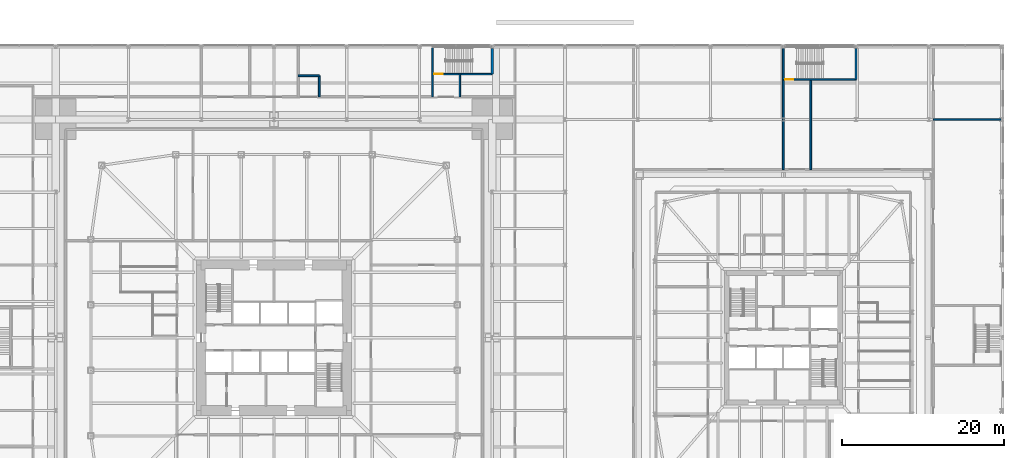
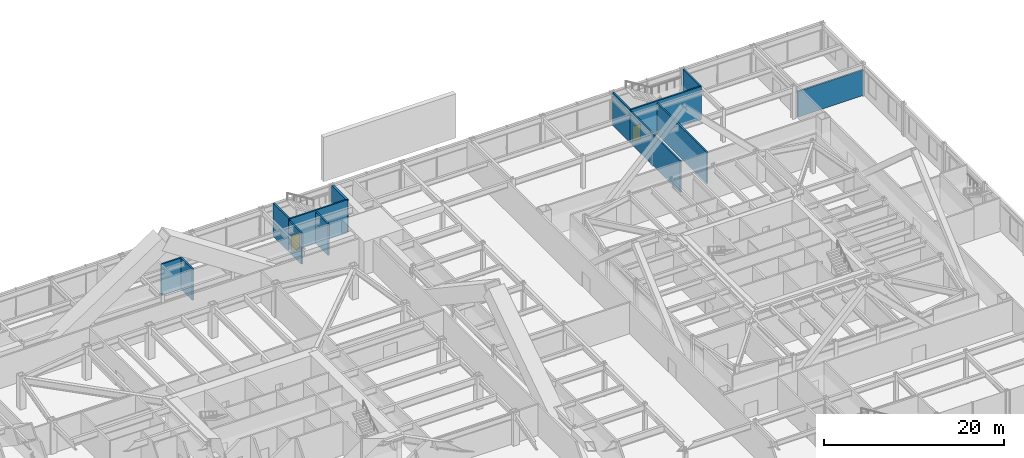
# One storey, part 28 of 32: 13 walls, 2 doors, 2 openings.
"""IFC4 building model written with IfcOpenShell, lengths in metres."""

from ifc_helpers import new_model, si_unit, direction, frame, frame_2d, origin, place, context, subcontext, project, spatial, rectangle, extrude, material, layer, layer_set, type_object, element, fill, save


model = new_model("IFC4")

# Units and contexts
model_context = context("Model", 3, precision=1e-05, world=origin(), true_north=direction((0.0, 1.0)))
body_context = subcontext(model_context, "Body", "Model", "MODEL_VIEW")
ifc_project = project(units=[si_unit("LENGTHUNIT", "METRE"), si_unit("AREAUNIT", "SQUARE_METRE"), si_unit("VOLUMEUNIT", "CUBIC_METRE"), si_unit("PLANEANGLEUNIT", "RADIAN"), si_unit("MASSUNIT", "GRAM", prefix="KILO")], contexts=[model_context])

# Site, building, storey
site_placement = place(None, origin())
site = spatial("IfcSite", under=ifc_project, at=site_placement, CompositionType="ELEMENT")
building_placement = place(site_placement, origin())
building = spatial("IfcBuilding", under=site, at=building_placement, Name="Iwan Alto Co-Living Towers", CompositionType="ELEMENT")
storey_placement = place(building_placement, frame((0.0, 0.0, 6.0)))
storey = spatial("IfcBuildingStorey", under=building, at=storey_placement, Name="L01", CompositionType="ELEMENT", Elevation=6.0)

# Walls
ifc_material_1 = material(Name="Concrete block masonry f*p 10 MPa", Category="masonry")
ifc_layer_1 = layer(ifc_material_1, 0.199951171875)
ifc_layer_set_1 = layer_set([ifc_layer_1], Name="PODIUM INTERNAL WALL 200")
wall_type_1 = type_object("IfcWallType", Name="PODIUM INTERNAL WALL 200", PredefinedType="SOLIDWALL", material=ifc_layer_set_1)
wall_1_placement = place(storey_placement, frame((81.550048828125, 27.0, 0.0), z_axis=(0.0, 0.0, 1.0), x_axis=(1.0, 0.0, 0.0)))
element("IfcWall", 1, at=wall_1_placement, inside=storey, type_object=wall_type_1, Name="Partition L01", PredefinedType="SOLIDWALL", context=body_context, shape_type="SweptSolid", body=[
    extrude(rectangle(XDim=8.389892578125, YDim=0.199951171875, at=frame_2d((4.19482421875, 0.0))), origin(), (0.0, 0.0, 1.0), 3.48046875),
])
wall_2_placement = place(storey_placement, frame((3.0, 32.39990234375, 0.0), z_axis=(0.0, 0.0, 1.0), x_axis=(1.0, 0.0, 0.0)))
element("IfcWall", 2, at=wall_2_placement, inside=storey, type_object=wall_type_1, Name="Partition L01", PredefinedType="SOLIDWALL", context=body_context, shape_type="SweptSolid", body=[
    extrude(rectangle(XDim=2.60009765625, YDim=0.199951171875, at=frame_2d((1.300048828125, 0.0))), origin(), (0.0, 0.0, 1.0), 4.25),
])
for number, where, z_axis, x_axis, name in (
    (3, (66.39990234375, 20.800048828125, 0.0), (0.0, 0.0, 1.0), (0.0, 1.0, 0.0), "Partition L01"),
    (4, (63.0, 20.800048828125, 0.0), (0.0, 0.0, 1.0), (0.0, 1.0, 0.0), "Partition L01"),
):
    element("IfcWall", number, at=place(storey_placement, frame(where, z_axis=z_axis, x_axis=x_axis)), inside=storey, type_object=wall_type_1, Name=name, PredefinedType="SOLIDWALL", context=body_context, shape_type="SweptSolid", body=[
        extrude(rectangle(XDim=11.159912109375, YDim=0.199951171875, at=frame_2d((5.580078125, 0.0))), origin(), (0.0, 0.0, 1.0), 4.25),
    ])
for number, where, z_axis, x_axis, name in (
    (5, (23.0, 29.800048828125, 0.0), (0.0, 0.0, 1.0), (0.0, 1.0, 0.0), "Partition L01"),
    (6, (19.60009765625, 29.800048828125, 0.0), (0.0, 0.0, 1.0), (0.0, 1.0, 0.0), "Partition L01"),
):
    element("IfcWall", number, at=place(storey_placement, frame(where, z_axis=z_axis, x_axis=x_axis)), inside=storey, type_object=wall_type_1, Name=name, PredefinedType="SOLIDWALL", context=body_context, shape_type="SweptSolid", body=[
        extrude(rectangle(XDim=2.800048828125, YDim=0.199951171875, at=frame_2d((1.39990234375, 0.0))), origin(), (0.0, 0.0, 1.0), 4.25),
    ])
wall_3_placement = place(storey_placement, frame((5.60009765625, 29.800048828125, 0.0), z_axis=(0.0, 0.0, 1.0), x_axis=(0.0, 1.0, 0.0)))
element("IfcWall", 7, at=wall_3_placement, inside=storey, type_object=wall_type_1, Name="Partition L01", PredefinedType="SOLIDWALL", context=body_context, shape_type="SweptSolid", body=[
    extrude(rectangle(XDim=2.599853515625, YDim=0.199951171875, at=frame_2d((1.2998046875, 0.0))), origin(), (0.0, 0.0, 1.0), 4.25),
])

# Wall, opening, door
ifc_material_2 = material(Name="Concrete f'c 70 MPa", Category="concrete")
ifc_layer_2 = layer(ifc_material_2, 0.199951171875)
ifc_layer_set_2 = layer_set([ifc_layer_2], Name="SHAFT WALL 200")
wall_type_2 = type_object("IfcWallType", Name="SHAFT WALL 200", PredefinedType="SOLIDWALL", material=ifc_layer_set_2)
wall_4_placement = place(storey_placement, frame((63.0, 31.9599609375, 0.0), z_axis=(0.0, 0.0, 1.0), x_axis=(1.0, 0.0, 0.0)))
wall_4 = element("IfcWall", 8, at=wall_4_placement, inside=storey, type_object=wall_type_2, Name="Shaft wall L01", PredefinedType="SOLIDWALL", context=body_context, shape_type="SweptSolid", body=[
    extrude(rectangle(XDim=9.0, YDim=0.199951171875, at=frame_2d((4.5, 0.0))), origin(), (0.0, 0.0, 1.0), 4.5),
])
opening_1_placement = place(wall_4_placement, frame((0.25, 0.0, 0.0)))
opening_1 = element("IfcOpeningElement", 9, at=opening_1_placement, cuts=wall_4, Name="Opening D5", PredefinedType="OPENING", context=body_context, shape_type="SweptSolid", body=[
    extrude(rectangle(XDim=1.0, YDim=2.10009765625, at=frame_2d((0.5, 1.050048828125))), frame((0.0, 0.10986328125, 0.0), z_axis=(0.0, -1.0, 0.0), x_axis=(1.0, 0.0, 0.0)), (0.0, 0.0, 1.0), 0.219970703125),
])
ifc_material_3 = material(Name="Steel frame with timber leaf", Category="steel")
door_type = type_object("IfcDoorType", Name="STAIR DOOR FD120S 1000X2100", OperationType="SINGLE_SWING_LEFT", PredefinedType="DOOR", material=ifc_material_3)
door_1_placement = place(opening_1_placement, origin())
door_1 = element("IfcDoor", 10, at=door_1_placement, inside=storey, type_object=door_type, Name="Stair PS5 door L01", OperationType="SINGLE_SWING_LEFT", OverallHeight=2.10009765625, OverallWidth=1.0, PredefinedType="DOOR", context=body_context, shape_type="SweptSolid", body=[
    extrude(rectangle(XDim=1.0, YDim=2.10009765625, at=frame_2d((0.5, 1.050048828125))), frame((0.0, 0.02490234375, 0.0), z_axis=(0.0, -1.0, 0.0), x_axis=(1.0, 0.0, 0.0)), (0.0, 0.0, 1.0), 0.050048828125),
])
fill(opening_1, door_1)

wall_5_placement = place(storey_placement, frame((19.60009765625, 32.60009765625, 0.0), z_axis=(0.0, 0.0, 1.0), x_axis=(1.0, 0.0, 0.0)))
wall_5 = element("IfcWall", 11, at=wall_5_placement, inside=storey, type_object=wall_type_2, Name="Shaft wall L01", PredefinedType="SOLIDWALL", context=body_context, shape_type="SweptSolid", body=[
    extrude(rectangle(XDim=7.39990234375, YDim=0.199951171875, at=frame_2d((3.699951171875, 0.0))), origin(), (0.0, 0.0, 1.0), 4.5),
])
opening_2_placement = place(wall_5_placement, frame((0.25, 0.0, 0.0)))
opening_2 = element("IfcOpeningElement", 12, at=opening_2_placement, cuts=wall_5, Name="Opening D5", PredefinedType="OPENING", context=body_context, shape_type="SweptSolid", body=[
    extrude(rectangle(XDim=1.0, YDim=2.10009765625, at=frame_2d((0.5, 1.050048828125))), frame((0.0, 0.10986328125, 0.0), z_axis=(0.0, -1.0, 0.0), x_axis=(1.0, 0.0, 0.0)), (0.0, 0.0, 1.0), 0.219970703125),
])
door_2_placement = place(opening_2_placement, origin())
door_2 = element("IfcDoor", 13, at=door_2_placement, inside=storey, type_object=door_type, Name="Stair PS3 door L01", OperationType="SINGLE_SWING_LEFT", OverallHeight=2.10009765625, OverallWidth=1.0, PredefinedType="DOOR", context=body_context, shape_type="SweptSolid", body=[
    extrude(rectangle(XDim=1.0, YDim=2.10009765625, at=frame_2d((0.5, 1.050048828125))), frame((0.0, 0.02490234375, 0.0), z_axis=(0.0, -1.0, 0.0), x_axis=(1.0, 0.0, 0.0)), (0.0, 0.0, 1.0), 0.050048828125),
])
fill(opening_2, door_2)

# Walls
for number, where, z_axis, x_axis, name in (
    (14, (72.0, 31.9599609375, 0.0), (0.0, 0.0, 1.0), (0.0, 1.0, 0.0), "Shaft wall L01"),
    (15, (63.0, 31.9599609375, 0.0), (0.0, 0.0, 1.0), (0.0, 1.0, 0.0), "Shaft wall L01"),
):
    element("IfcWall", number, at=place(storey_placement, frame(where, z_axis=z_axis, x_axis=x_axis)), inside=storey, type_object=wall_type_2, Name=name, PredefinedType="SOLIDWALL", context=body_context, shape_type="SweptSolid", body=[
        extrude(rectangle(XDim=3.82275390625, YDim=0.199951171875, at=frame_2d((1.911376953125, 0.0))), origin(), (0.0, 0.0, 1.0), 4.5),
    ])
wall_6_placement = place(storey_placement, frame((19.60009765625, 32.60009765625, 0.0), z_axis=(0.0, 0.0, 1.0), x_axis=(0.0, 1.0, 0.0)))
element("IfcWall", 16, at=wall_6_placement, inside=storey, type_object=wall_type_2, Name="Shaft wall L01", PredefinedType="SOLIDWALL", context=body_context, shape_type="SweptSolid", body=[
    extrude(rectangle(XDim=3.449951171875, YDim=0.199951171875, at=frame_2d((1.72509765625, 0.0))), origin(), (0.0, 0.0, 1.0), 4.5),
])
ifc_material_4 = material(Name="Concrete f'c 70 MPa", Category="concrete")
ifc_layer_3 = layer(ifc_material_4, 0.300048828125)
ifc_layer_set_3 = layer_set([ifc_layer_3], Name="SHAFT WALL 300")
wall_type_3 = type_object("IfcWallType", Name="SHAFT WALL 300", PredefinedType="SOLIDWALL", material=ifc_layer_set_3)
wall_7_placement = place(storey_placement, frame((27.0, 32.60009765625, 0.0), z_axis=(0.0, 0.0, 1.0), x_axis=(0.0, 1.0, 0.0)))
element("IfcWall", 17, at=wall_7_placement, inside=storey, type_object=wall_type_3, Name="Shaft wall L01", PredefinedType="SOLIDWALL", context=body_context, shape_type="SweptSolid", body=[
    extrude(rectangle(XDim=3.1826171875, YDim=0.300048828125, at=frame_2d((1.59130859375, 0.0))), origin(), (0.0, 0.0, 1.0), 4.5),
])

save(model, "model.ifc")
